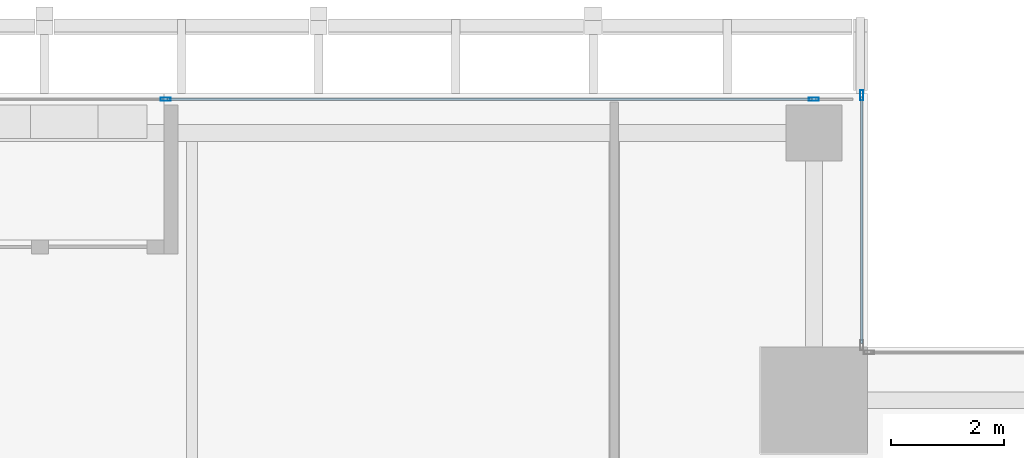
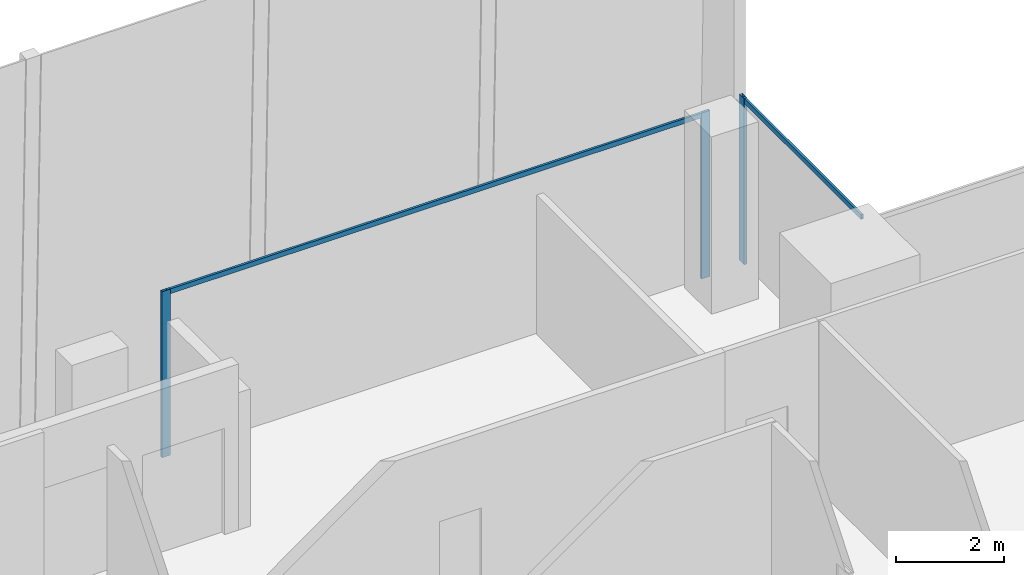
# One storey, part 21 of 35: 5 members, 2 elements without a shape of their own.
"""IFC4 building model written with IfcOpenShell, lengths in metres."""

from ifc_helpers import new_model, si_unit, direction, frame, origin, origin_2d, place, context, subcontext, project, spatial, hollow_rectangle, extrude, source, transform, mapped, material, material_profile, profile_set, type_object, element, aggregate, save


model = new_model("IFC4")

# Units and contexts
model_context = context("Model", 3, precision=1e-05, world=origin(), true_north=direction((0.0, 1.0)))
body_context = subcontext(model_context, "Body", "Model", "MODEL_VIEW")
ifc_project = project(units=[si_unit("LENGTHUNIT", "METRE"), si_unit("AREAUNIT", "SQUARE_METRE"), si_unit("VOLUMEUNIT", "CUBIC_METRE"), si_unit("PLANEANGLEUNIT", "RADIAN"), si_unit("MASSUNIT", "GRAM", prefix="KILO")], contexts=[model_context])

# Site, building, storey
site_placement = place(None, origin())
site = spatial("IfcSite", under=ifc_project, at=site_placement, CompositionType="ELEMENT")
building_placement = place(site_placement, origin())
building = spatial("IfcBuilding", under=site, at=building_placement, Name="Khomas Fold Tower", CompositionType="ELEMENT")
storey_placement = place(building_placement, frame((0.0, 0.0, 212.699951171875)))
storey = spatial("IfcBuildingStorey", under=building, at=storey_placement, Name="L47", CompositionType="ELEMENT", Elevation=212.699951171875)

# Curtain wall, member
ifc_material_1 = material(Name="Aluminium framed double glazing", Category="aluminium")
curtain_wall_type = type_object("IfcCurtainWallType", Name="SK-Unitised clear-glass wall, office floors CW2", PredefinedType="NOTDEFINED", material=ifc_material_1)
curtain_wall_1_placement = place(storey_placement, origin())
curtain_wall_1 = element("IfcCurtainWall", 1, at=curtain_wall_1_placement, inside=storey, type_object=curtain_wall_type, Name="CW2 corner return L47 05", PredefinedType="NOTDEFINED")
ifc_material_2 = material(Name="Aluminium", Category="aluminium")
ifc_material_profile_1 = material_profile(ifc_material_2, hollow_rectangle(XDim=0.06005859375, YDim=0.179931640625, WallThickness=0.00390625, at=origin_2d()), Name="SK-Unitised clear-glass wall, office floors mullion CW2-M")
ifc_profile_set_1 = profile_set([ifc_material_profile_1], Name="Aluminium")
member_type_1 = type_object("IfcMemberType", Name="SK-Unitised clear-glass wall, office floors mullion CW2-M", PredefinedType="MULLION", material=ifc_profile_set_1)
shared_shape_1 = source(origin(), body_context, "Body", "SweptSolid", [
    extrude(hollow_rectangle(XDim=0.06005859375, YDim=0.179931640625, WallThickness=0.00390625, at=origin_2d()), origin(), (0.0, 0.0, 1.0), 3.75),
])
member_1_placement = place(storey_placement, frame((46.39990234375, 50.969970703125, 0.0), z_axis=(0.0, 0.0, 1.0), x_axis=(-1.0, 0.0, 0.0)))
member_1 = element("IfcMember", 2, at=member_1_placement, type_object=member_type_1, Name="CW2 mullion 2", PredefinedType="MULLION", context=body_context, shape_type="MappedRepresentation", body=[
    mapped(shared_shape_1, transform((0.0, 0.0, 0.0))),
])

# Curtain wall, members
curtain_wall_2_placement = place(storey_placement, origin())
curtain_wall_2 = element("IfcCurtainWall", 3, at=curtain_wall_2_placement, inside=storey, type_object=curtain_wall_type, Name="CW2 run L47 06-0", PredefinedType="NOTDEFINED")
member_2_placement = place(storey_placement, frame((45.550048828125, 50.89990234375, 0.0), z_axis=(0.0, 0.0, 1.0), x_axis=(0.0, -1.0, 0.0)))
member_2 = element("IfcMember", 4, at=member_2_placement, type_object=member_type_1, Name="CW2 mullion 2", PredefinedType="MULLION", context=body_context, shape_type="MappedRepresentation", body=[
    mapped(shared_shape_1, transform((0.0, 0.0, 0.0))),
])
member_3_placement = place(storey_placement, frame((34.030029296875, 50.89990234375, 0.0), z_axis=(0.0, 0.0, 1.0), x_axis=(0.0, -1.0, 0.0)))
member_3 = element("IfcMember", 5, at=member_3_placement, type_object=member_type_1, Name="CW2 mullion 3", PredefinedType="MULLION", context=body_context, shape_type="MappedRepresentation", body=[
    mapped(shared_shape_1, transform((0.0, 0.0, 0.0))),
])

# Member
ifc_material_3 = material(Name="Aluminium", Category="aluminium")
ifc_material_profile_2 = material_profile(ifc_material_3, hollow_rectangle(XDim=0.050048828125, YDim=0.110107421875, WallThickness=0.00390625, at=origin_2d()), Name="SK-Unitised clear-glass wall, office floors transom CW2-T")
ifc_profile_set_2 = profile_set([ifc_material_profile_2], Name="Aluminium")
member_type_2 = type_object("IfcMemberType", Name="SK-Unitised clear-glass wall, office floors transom CW2-T", PredefinedType="USERDEFINED", material=ifc_profile_set_2)
shared_shape_2 = source(origin(), body_context, "Body", "SweptSolid", [
    extrude(hollow_rectangle(XDim=0.050048828125, YDim=0.110107421875, WallThickness=0.00390625, at=origin_2d()), origin(), (0.0, 0.0, 1.0), 4.3798828125),
])
member_4_placement = place(storey_placement, frame((46.39990234375, 46.56005859375, 3.695068359375), z_axis=(0.0, 1.0, 0.0), x_axis=(-1.0, 0.0, 0.0)))
member_4 = element("IfcMember", 6, at=member_4_placement, type_object=member_type_2, Name="CW2 transom 1", ObjectType="TRANSOM", PredefinedType="USERDEFINED", context=body_context, shape_type="MappedRepresentation", body=[
    mapped(shared_shape_2, transform((0.0, 0.0, 0.0))),
])

aggregate(curtain_wall_1, [member_1, member_4])

shared_shape_3 = source(origin(), body_context, "Body", "SweptSolid", [
    extrude(hollow_rectangle(XDim=0.050048828125, YDim=0.110107421875, WallThickness=0.00390625, at=origin_2d()), origin(), (0.0, 0.0, 1.0), 11.4599609375),
])
member_5_placement = place(storey_placement, frame((45.52001953125, 50.89990234375, 3.695068359375), z_axis=(-1.0, 0.0, 0.0), x_axis=(0.0, -1.0, 0.0)))
member_5 = element("IfcMember", 7, at=member_5_placement, type_object=member_type_2, Name="CW2 transom 2", ObjectType="TRANSOM", PredefinedType="USERDEFINED", context=body_context, shape_type="MappedRepresentation", body=[
    mapped(shared_shape_3, transform((0.0, 0.0, 0.0))),
])

aggregate(curtain_wall_2, [member_2, member_3, member_5])

save(model, "model.ifc")
